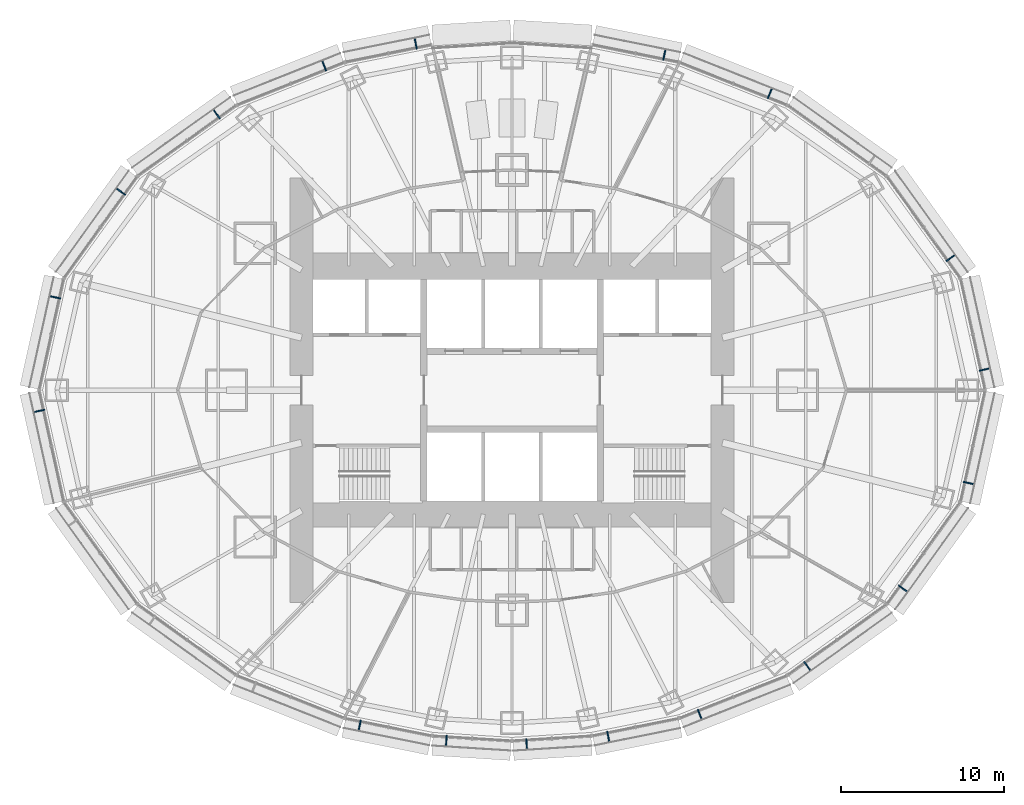
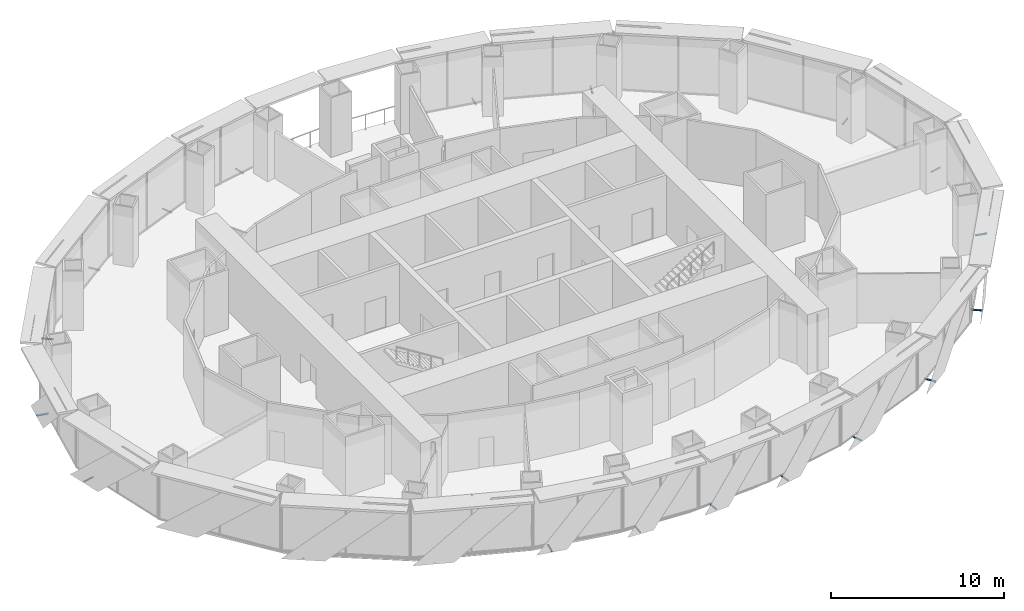
# One storey, part 13 of 17: 18 discrete accessories.
"""IFC4 building model written with IfcOpenShell, lengths in metres."""

from ifc_helpers import new_model, si_unit, direction, frame, origin, origin_2d, place, context, subcontext, project, spatial, rectangle, extrude, element, save


model = new_model("IFC4")

# Units and contexts
model_context = context("Model", 3, precision=1e-05, world=origin(), true_north=direction((0.0, 1.0)))
body_context = subcontext(model_context, "Body", "Model", "MODEL_VIEW")
ifc_project = project(units=[si_unit("LENGTHUNIT", "METRE"), si_unit("AREAUNIT", "SQUARE_METRE"), si_unit("VOLUMEUNIT", "CUBIC_METRE"), si_unit("PLANEANGLEUNIT", "RADIAN"), si_unit("MASSUNIT", "GRAM", prefix="KILO")], contexts=[model_context])

# Site, building, storey
site_placement = place(None, origin())
site = spatial("IfcSite", under=ifc_project, at=site_placement, CompositionType="ELEMENT")
building_placement = place(site_placement, origin())
building = spatial("IfcBuilding", under=site, at=building_placement, Name="Lantaw Convention Tower", CompositionType="ELEMENT")
storey_placement = place(building_placement, frame((0.0, 0.0, 151.0)))
storey = spatial("IfcBuildingStorey", under=building, at=storey_placement, Name="L35", CompositionType="ELEMENT", Elevation=151.0)

# Discrete accessories
for number, where, z_axis, x_axis, name in (
    (1, (28.98486328125, 1.269775390625, -0.114990234375), (0.0, 0.0, 1.0), (-0.215546166174, 0.9764936509, 0.0), "Screen bracket"),
    (2, (26.900146484375, 8.111572265625, -0.114990234375), (0.0, 0.0, 1.0), (-0.584512597221, 0.811384633629, 0.0), "Screen bracket"),
    (3, (15.802978515625, 18.18798828125, -0.114990234375), (0.0, 0.0, 1.0), (-0.929547687544, 0.368701907483, 0.0), "Screen bracket"),
    (4, (9.339599609375, 20.56005859375, -0.114990234375), (0.0, 0.0, 1.0), (-0.980301514912, 0.197506809659, 0.0), "Screen bracket"),
    (5, (-5.903076171875, 21.25244140625, -0.114990234375), (0.0, 0.0, 1.0), (-0.980301514912, -0.197506809659, 0.0), "Screen bracket"),
    (6, (-11.517822265625, 19.887939453125, -0.114990234375), (0.0, 0.0, 1.0), (-0.929547687544, -0.368701907483, 0.0), "Screen bracket"),
    (7, (-18.10791015625, 16.922607421875, -0.114990234375), (0.0, 0.0, 1.0), (-0.813208325995, -0.581972695693, 0.0), "Screen bracket"),
    (8, (-23.9765625, 12.169677734375, -0.114990234375), (0.0, 0.0, 1.0), (-0.584512597221, -0.811384633629, 0.0), "Screen bracket"),
    (9, (-28.008056640625, 5.6953125, -0.114990234375), (0.0, 0.0, 1.0), (-0.215546166174, -0.9764936509, 0.0), "Screen bracket"),
    (10, (-28.98486328125, -1.269775390625, -0.114990234375), (0.0, 0.0, 1.0), (0.215546166174, -0.9764936509, 0.0), "Screen bracket"),
    (11, (-9.339599609375, -20.56005859375, -0.114990234375), (0.0, 0.0, 1.0), (0.980301514912, -0.197506809659, 0.0), "Screen bracket"),
    (12, (-4.027099609375, -21.505859375, -0.114990234375), (0.0, 0.0, 1.0), (0.998022035978, -0.062865059466, 0.0), "Screen bracket"),
    (13, (0.89794921875, -21.702880859375, -0.114990234375), (0.0, 0.0, 1.0), (0.998022035978, 0.062865059466, 0.0), "Screen bracket"),
    (14, (5.903076171875, -21.25244140625, -0.114990234375), (0.0, 0.0, 1.0), (0.980301514912, 0.197506809659, 0.0), "Screen bracket"),
    (15, (11.517822265625, -19.887939453125, -0.114990234375), (0.0, 0.0, 1.0), (0.929547687544, 0.368701907483, 0.0), "Screen bracket"),
    (16, (18.10791015625, -16.922607421875, -0.114990234375), (0.0, 0.0, 1.0), (0.813208325995, 0.581972695693, 0.0), "Screen bracket"),
    (17, (23.9765625, -12.169677734375, -0.114990234375), (0.0, 0.0, 1.0), (0.584512597221, 0.811384633629, 0.0), "Screen bracket"),
    (18, (28.008056640625, -5.6953125, -0.114990234375), (0.0, 0.0, 1.0), (0.215546166174, 0.9764936509, 0.0), "Screen bracket"),
):
    element("IfcDiscreteAccessory", number, at=place(storey_placement, frame(where, z_axis=z_axis, x_axis=x_axis)), inside=storey, Name=name, PredefinedType="BRACKET", context=body_context, shape_type="SweptSolid", body=[
        extrude(rectangle(XDim=0.080078125, YDim=0.68798828125, at=origin_2d()), origin(), (0.0, 0.0, 1.0), 0.080078125),
    ])

save(model, "model.ifc")
